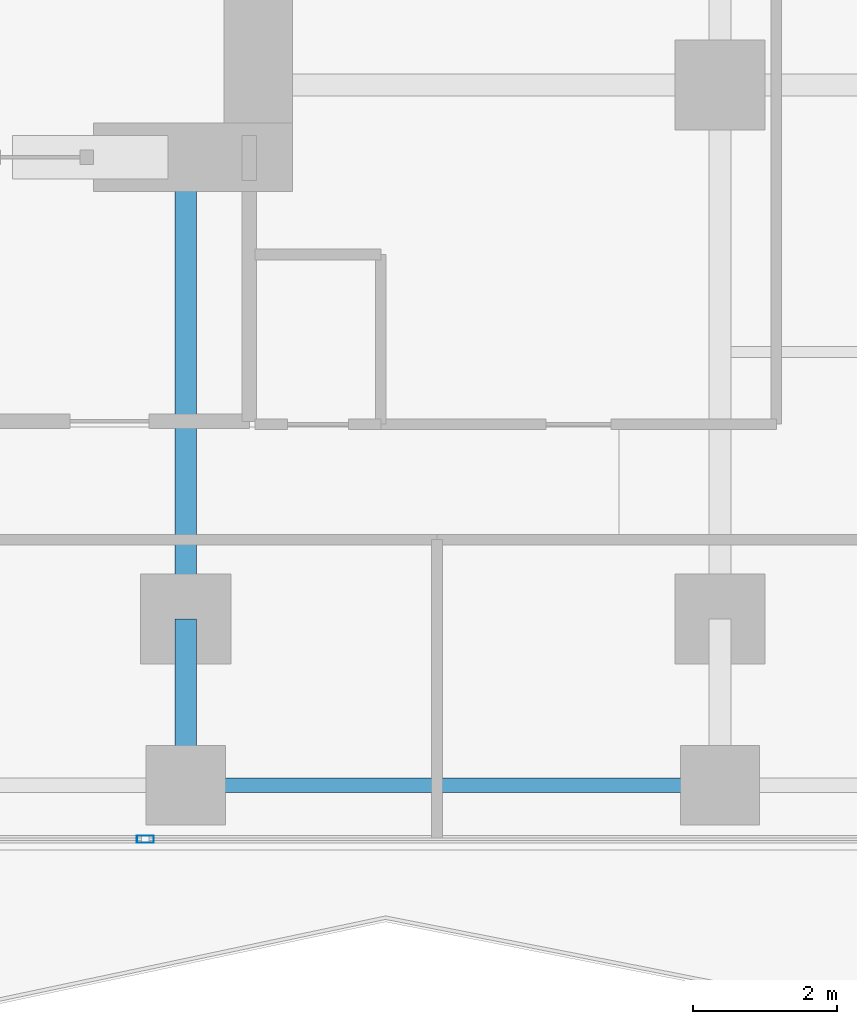
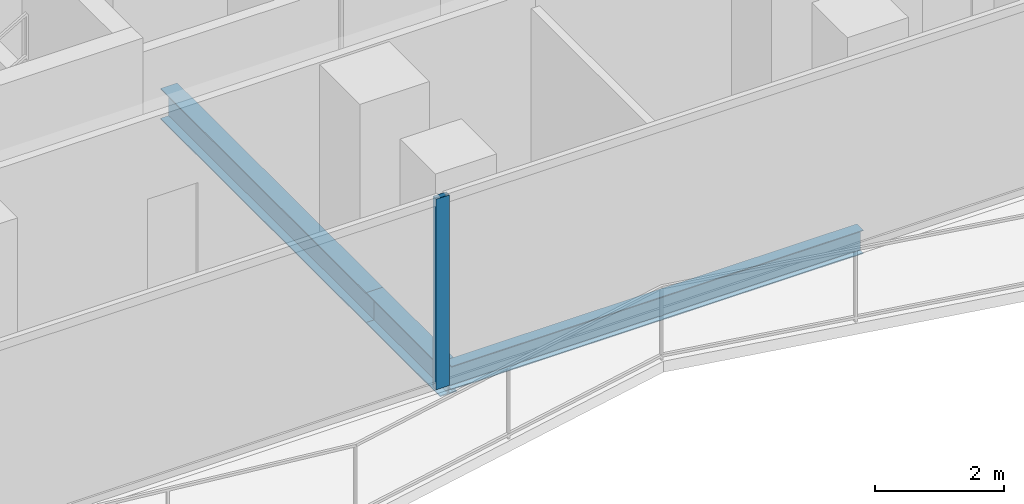
# One storey, part 4 of 27: 3 beams, 1 member, 1 element without a shape of its own.
"""IFC4 building model written with IfcOpenShell, lengths in metres."""

from ifc_helpers import new_model, si_unit, direction, frame, origin, origin_2d, place, context, subcontext, project, spatial, hollow_rectangle, i_section, extrude, material, layer, layer_set, material_profile, profile_set, type_object, element, aggregate, save


model = new_model("IFC4")

# Units and contexts
model_context = context("Model", 3, precision=1e-05, world=origin(), true_north=direction((0.0, 1.0)))
body_context = subcontext(model_context, "Body", "Model", "MODEL_VIEW")
ifc_project = project(units=[si_unit("LENGTHUNIT", "METRE"), si_unit("AREAUNIT", "SQUARE_METRE"), si_unit("VOLUMEUNIT", "CUBIC_METRE"), si_unit("PLANEANGLEUNIT", "RADIAN"), si_unit("MASSUNIT", "GRAM", prefix="KILO")], contexts=[model_context])

# Site, building, storey
site_placement = place(None, origin())
site = spatial("IfcSite", under=ifc_project, at=site_placement, CompositionType="ELEMENT")
building_placement = place(site_placement, origin())
building = spatial("IfcBuilding", under=site, at=building_placement, Name="Khorvyn Point Tower", CompositionType="ELEMENT")
storey_placement = place(building_placement, frame((0.0, 0.0, 132.89990234375)))
storey = spatial("IfcBuildingStorey", under=building, at=storey_placement, Name="L33", CompositionType="ELEMENT", Elevation=132.89990234375)

# Curtain wall, member
ifc_material_1 = material(Name="Anodised aluminium 6063-T6 and laminated Low-E glass", Category="aluminium")
ifc_layer = layer(ifc_material_1, 0.18994140625)
ifc_layer_set = layer_set([ifc_layer], Name="Stick-Built Acoustic Curtain Wall CW-SYS-03")
curtain_wall_type = type_object("IfcCurtainWallType", Name="Stick-Built Acoustic Curtain Wall CW-SYS-03", PredefinedType="NOTDEFINED", material=ifc_layer_set)
curtain_wall_placement = place(storey_placement, origin())
curtain_wall = element("IfcCurtainWall", 1, at=curtain_wall_placement, inside=storey, type_object=curtain_wall_type, Name="Curtain Wall", PredefinedType="NOTDEFINED")
ifc_material_2 = material(Name="Anodised aluminium 6063-T6", Category="aluminium")
ifc_material_profile_1 = material_profile(ifc_material_2, hollow_rectangle(XDim=0.10009765625, YDim=0.239990234375, WallThickness=0.0048828125, at=origin_2d()))
ifc_profile_set_1 = profile_set([ifc_material_profile_1], Name="Anodised aluminium 6063-T6 ALU-MUL-100x240")
member_type = type_object("IfcMemberType", Name="Anodised Aluminium 6063-T6 Mullion ALU-MUL-100x240", PredefinedType="MULLION", material=ifc_profile_set_1)
member_placement = place(storey_placement, frame((6.83837890625, -17.85009765625, 0.0), z_axis=(0.0, 0.0, 1.0), x_axis=(0.0, -1.0, 0.0)))
member = element("IfcMember", 2, at=member_placement, type_object=member_type, Name="Transom", PredefinedType="MULLION", context=body_context, shape_type="SweptSolid", body=[
    extrude(hollow_rectangle(XDim=0.10009765625, YDim=0.239990234375, WallThickness=0.0048828125, at=origin_2d()), origin(), (0.0, 0.0, 1.0), 3.6201171875),
])
aggregate(curtain_wall, [member])

# Beams
ifc_material_3 = material(Name="Steel S355", Category="steel")
ifc_material_profile_2 = material_profile(ifc_material_3, i_section(OverallWidth=0.300048828125, OverallDepth=0.587890625, WebThickness=0.011962890625, FlangeThickness=0.02001953125, at=origin_2d()))
ifc_profile_set_2 = profile_set([ifc_material_profile_2], Name="Steel S355 H588x300x12x20")
beam_type_1 = type_object("IfcBeamType", Name="Steel S355 Beam H588x300x12x20", PredefinedType="BEAM", material=ifc_profile_set_2)
beam_1_placement = place(storey_placement, frame((7.39990234375, -17.10009765625, -0.513916015625), z_axis=(0.0, 1.0, 0.0), x_axis=(-1.0, 0.0, 0.0)))
element("IfcBeam", 3, at=beam_1_placement, inside=storey, type_object=beam_type_1, Name="Beam", PredefinedType="BEAM", context=body_context, shape_type="SweptSolid", body=[
    extrude(i_section(OverallWidth=0.300048828125, OverallDepth=0.587890625, WebThickness=0.011962890625, FlangeThickness=0.02001953125, at=origin_2d()), origin(), (0.0, 0.0, 1.0), 2.300048828125),
])
beam_2_placement = place(storey_placement, frame((7.39990234375, -14.800048828125, -0.513916015625), z_axis=(0.0, 1.0, 0.0), x_axis=(-1.0, 0.0, 0.0)))
element("IfcBeam", 4, at=beam_2_placement, inside=storey, type_object=beam_type_1, Name="Beam", PredefinedType="BEAM", context=body_context, shape_type="SweptSolid", body=[
    extrude(i_section(OverallWidth=0.300048828125, OverallDepth=0.587890625, WebThickness=0.011962890625, FlangeThickness=0.02001953125, at=origin_2d()), origin(), (0.0, 0.0, 1.0), 6.400146484375),
])
ifc_material_profile_3 = material_profile(ifc_material_3, i_section(OverallWidth=0.199951171875, OverallDepth=0.449951171875, WebThickness=0.009033203125, FlangeThickness=0.013916015625, at=origin_2d()))
ifc_profile_set_3 = profile_set([ifc_material_profile_3], Name="Steel S355 H450x200x9x14")
beam_type_2 = type_object("IfcBeamType", Name="Steel S355 Spandrel H450x200x9x14", PredefinedType="SPANDREL", material=ifc_profile_set_3)
beam_3_placement = place(storey_placement, frame((7.39990234375, -17.10009765625, -0.44482421875), z_axis=(1.0, 0.0, 0.0), x_axis=(0.0, 1.0, 0.0)))
element("IfcBeam", 5, at=beam_3_placement, inside=storey, type_object=beam_type_2, Name="Beam", PredefinedType="SPANDREL", context=body_context, shape_type="SweptSolid", body=[
    extrude(i_section(OverallWidth=0.199951171875, OverallDepth=0.449951171875, WebThickness=0.009033203125, FlangeThickness=0.013916015625, at=origin_2d()), origin(), (0.0, 0.0, 1.0), 7.400146484375),
])

save(model, "model.ifc")
